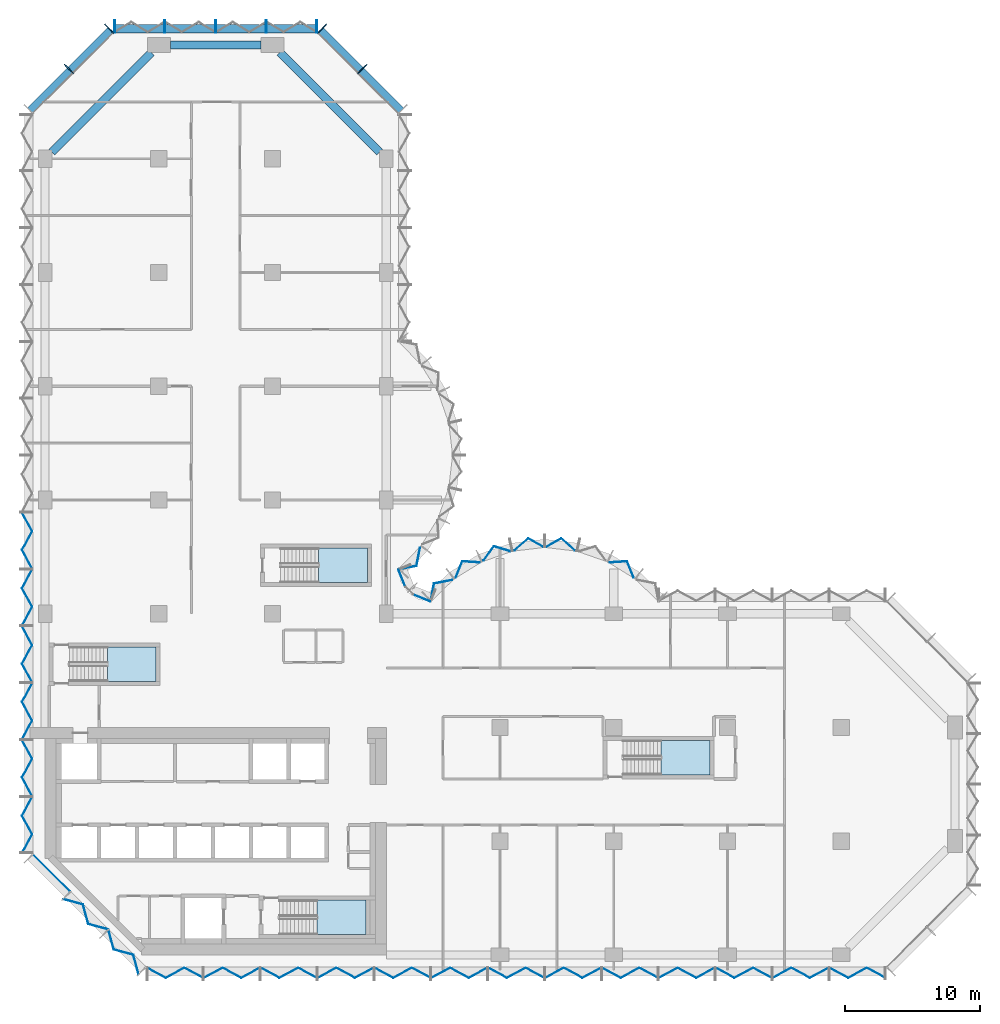
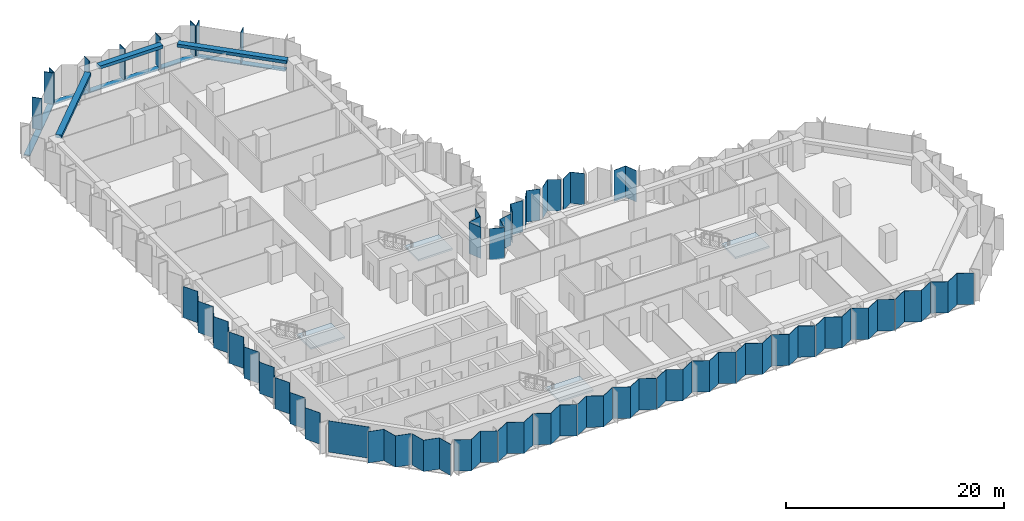
# One storey, part 5 of 13: 31 plates, 12 members, 4 slabs, 3 beams, 13 elements without a shape of their own.
"""IFC4 building model written with IfcOpenShell, lengths in metres."""

from ifc_helpers import new_model, si_unit, direction, frame, origin, origin_2d, place, context, subcontext, project, spatial, polyline, rectangle, outline, extrude, material, layer, layer_set, material_profile, profile_set, type_object, element, aggregate, save


model = new_model("IFC4")

# Units and contexts
model_context = context("Model", 3, precision=1e-05, world=origin(), true_north=direction((0.0, 1.0)))
body_context = subcontext(model_context, "Body", "Model", "MODEL_VIEW")
ifc_project = project(units=[si_unit("LENGTHUNIT", "METRE"), si_unit("AREAUNIT", "SQUARE_METRE"), si_unit("VOLUMEUNIT", "CUBIC_METRE"), si_unit("PLANEANGLEUNIT", "RADIAN"), si_unit("MASSUNIT", "GRAM", prefix="KILO")], contexts=[model_context])

# Site, building, storey
site_placement = place(None, origin())
site = spatial("IfcSite", under=ifc_project, at=site_placement, CompositionType="ELEMENT")
building_placement = place(site_placement, origin())
building = spatial("IfcBuilding", under=site, at=building_placement, Name="Brevane Broadcast Tower", CompositionType="ELEMENT")
storey_placement = place(building_placement, frame((0.0, 0.0, 127.699951171875)))
storey = spatial("IfcBuildingStorey", under=building, at=storey_placement, Name="L31", CompositionType="ELEMENT", Elevation=127.699951171875)

# Curtain wall, members
ifc_material_1 = material(Name="Aluminium 6063-T6 bronze anodised", Category="aluminium")
curtain_wall_type = type_object("IfcCurtainWallType", Name="CW-1 curtain wall", PredefinedType="NOTDEFINED", material=ifc_material_1)
curtain_wall_1_placement = place(storey_placement, origin())
curtain_wall_1 = element("IfcCurtainWall", 1, at=curtain_wall_1_placement, inside=storey, type_object=curtain_wall_type, Name="CW-1 typical tilted unit L31 north arm north-east chamfer", PredefinedType="NOTDEFINED")
ifc_material_profile_1 = material_profile(ifc_material_1, rectangle(XDim=0.949951171875, YDim=0.070068359375, at=origin_2d()), Name="RECT 70x950")
ifc_profile_set_1 = profile_set([ifc_material_profile_1], Name="Aluminium 6063-T6 bronze anodised")
member_type_1 = type_object("IfcMemberType", Name="CW-1 mullion 70x950", PredefinedType="MULLION", material=ifc_profile_set_1)
member_1_placement = place(storey_placement, frame((23.435791015625, 65.435791015625, -0.14990234375), z_axis=(0.0, 0.0, 1.0), x_axis=(-0.707106781187, -0.707106781187, 0.0)))
member_1 = element("IfcMember", 2, at=member_1_placement, type_object=member_type_1, Name="CW-1 mullion", PredefinedType="MULLION", context=body_context, shape_type="SweptSolid", body=[
    extrude(rectangle(XDim=0.949951171875, YDim=0.070068359375, at=origin_2d()), origin(), (0.0, 0.0, 1.0), 3.5),
])
member_2_placement = place(storey_placement, frame((20.460693359375, 68.4111328125, -0.14990234375), z_axis=(0.0, 0.0, 1.0), x_axis=(-0.707106781187, -0.707106781187, 0.0)))
member_2 = element("IfcMember", 3, at=member_2_placement, type_object=member_type_1, Name="CW-1 mullion", PredefinedType="MULLION", context=body_context, shape_type="SweptSolid", body=[
    extrude(rectangle(XDim=0.949951171875, YDim=0.070068359375, at=origin_2d()), origin(), (0.0, 0.0, 1.0), 3.5),
])

curtain_wall_2_placement = place(storey_placement, origin())
curtain_wall_2 = element("IfcCurtainWall", 4, at=curtain_wall_2_placement, inside=storey, type_object=curtain_wall_type, Name="CW-1 typical tilted unit L31 north end", PredefinedType="NOTDEFINED")
member_3_placement = place(storey_placement, frame((20.06494140625, 68.574951171875, -0.14990234375), z_axis=(0.0, 0.0, 1.0), x_axis=(0.0, -1.0, 0.0)))
member_3 = element("IfcMember", 5, at=member_3_placement, type_object=member_type_1, Name="CW-1 mullion", PredefinedType="MULLION", context=body_context, shape_type="SweptSolid", body=[
    extrude(rectangle(XDim=0.949951171875, YDim=0.070068359375, at=origin_2d()), origin(), (0.0, 0.0, 1.0), 3.5),
])
member_4_placement = place(storey_placement, frame((16.35009765625, 68.574951171875, -0.14990234375), z_axis=(0.0, 0.0, 1.0), x_axis=(0.0, -1.0, 0.0)))
member_4 = element("IfcMember", 6, at=member_4_placement, type_object=member_type_1, Name="CW-1 mullion", PredefinedType="MULLION", context=body_context, shape_type="SweptSolid", body=[
    extrude(rectangle(XDim=0.949951171875, YDim=0.070068359375, at=origin_2d()), origin(), (0.0, 0.0, 1.0), 3.5),
])
member_5_placement = place(storey_placement, frame((12.60009765625, 68.574951171875, -0.14990234375), z_axis=(0.0, 0.0, 1.0), x_axis=(0.0, -1.0, 0.0)))
member_5 = element("IfcMember", 7, at=member_5_placement, type_object=member_type_1, Name="CW-1 mullion", PredefinedType="MULLION", context=body_context, shape_type="SweptSolid", body=[
    extrude(rectangle(XDim=0.949951171875, YDim=0.070068359375, at=origin_2d()), origin(), (0.0, 0.0, 1.0), 3.5),
])
member_6_placement = place(storey_placement, frame((8.85009765625, 68.574951171875, -0.14990234375), z_axis=(0.0, 0.0, 1.0), x_axis=(0.0, -1.0, 0.0)))
member_6 = element("IfcMember", 8, at=member_6_placement, type_object=member_type_1, Name="CW-1 mullion", PredefinedType="MULLION", context=body_context, shape_type="SweptSolid", body=[
    extrude(rectangle(XDim=0.949951171875, YDim=0.070068359375, at=origin_2d()), origin(), (0.0, 0.0, 1.0), 3.5),
])
member_7_placement = place(storey_placement, frame((5.135009765625, 68.574951171875, -0.14990234375), z_axis=(0.0, 0.0, 1.0), x_axis=(0.0, -1.0, 0.0)))
member_7 = element("IfcMember", 9, at=member_7_placement, type_object=member_type_1, Name="CW-1 mullion", PredefinedType="MULLION", context=body_context, shape_type="SweptSolid", body=[
    extrude(rectangle(XDim=0.949951171875, YDim=0.070068359375, at=origin_2d()), origin(), (0.0, 0.0, 1.0), 3.5),
])

curtain_wall_3_placement = place(storey_placement, origin())
curtain_wall_3 = element("IfcCurtainWall", 10, at=curtain_wall_3_placement, inside=storey, type_object=curtain_wall_type, Name="CW-1 typical tilted unit L31 north-west chamfer", PredefinedType="NOTDEFINED")
member_8_placement = place(storey_placement, frame((4.7392578125, 68.4111328125, -0.14990234375), z_axis=(0.0, 0.0, 1.0), x_axis=(0.707106781187, -0.707106781187, 0.0)))
member_8 = element("IfcMember", 11, at=member_8_placement, type_object=member_type_1, Name="CW-1 mullion", PredefinedType="MULLION", context=body_context, shape_type="SweptSolid", body=[
    extrude(rectangle(XDim=0.949951171875, YDim=0.070068359375, at=origin_2d()), origin(), (0.0, 0.0, 1.0), 3.5),
])
member_9_placement = place(storey_placement, frame((1.76416015625, 65.435791015625, -0.14990234375), z_axis=(0.0, 0.0, 1.0), x_axis=(0.707106781187, -0.707106781187, 0.0)))
member_9 = element("IfcMember", 12, at=member_9_placement, type_object=member_type_1, Name="CW-1 mullion", PredefinedType="MULLION", context=body_context, shape_type="SweptSolid", body=[
    extrude(rectangle(XDim=0.949951171875, YDim=0.070068359375, at=origin_2d()), origin(), (0.0, 0.0, 1.0), 3.5),
])

# Member
ifc_material_profile_2 = material_profile(ifc_material_1, rectangle(XDim=0.60009765625, YDim=0.10009765625, at=origin_2d()), Name="RECT 100x600")
ifc_profile_set_2 = profile_set([ifc_material_profile_2], Name="Aluminium 6063-T6 bronze anodised")
member_type_2 = type_object("IfcMemberType", Name="CW-1 transom 100x600", PredefinedType="USERDEFINED", material=ifc_profile_set_2)
member_10_placement = place(storey_placement, frame((26.31201171875, 62.31201171875, -0.199951171875), z_axis=(-0.707106781187, 0.707106781187, 0.0), x_axis=(-0.707106781187, -0.707106781187, 0.0)))
member_10 = element("IfcMember", 13, at=member_10_placement, type_object=member_type_2, Name="CW-1 transom", ObjectType="TRANSOM", PredefinedType="USERDEFINED", context=body_context, shape_type="SweptSolid", body=[
    extrude(rectangle(XDim=0.60009765625, YDim=0.10009765625, at=origin_2d()), origin(), (0.0, 0.0, 1.0), 8.4853515625),
])

aggregate(curtain_wall_1, [member_1, member_2, member_10])

member_11_placement = place(storey_placement, frame((20.10009765625, 68.39990234375, -0.199951171875), z_axis=(-1.0, 0.0, 0.0), x_axis=(0.0, -1.0, 0.0)))
member_11 = element("IfcMember", 14, at=member_11_placement, type_object=member_type_2, Name="CW-1 transom", ObjectType="TRANSOM", PredefinedType="USERDEFINED", context=body_context, shape_type="SweptSolid", body=[
    extrude(rectangle(XDim=0.60009765625, YDim=0.10009765625, at=origin_2d()), origin(), (0.0, 0.0, 1.0), 15.0),
])

aggregate(curtain_wall_2, [member_3, member_4, member_5, member_6, member_7, member_11])

member_12_placement = place(storey_placement, frame((4.887939453125, 68.31201171875, -0.199951171875), z_axis=(-0.707106781187, -0.707106781187, 0.0), x_axis=(0.707106781187, -0.707106781187, 0.0)))
member_12 = element("IfcMember", 15, at=member_12_placement, type_object=member_type_2, Name="CW-1 transom", ObjectType="TRANSOM", PredefinedType="USERDEFINED", context=body_context, shape_type="SweptSolid", body=[
    extrude(rectangle(XDim=0.60009765625, YDim=0.10009765625, at=origin_2d()), origin(), (0.0, 0.0, 1.0), 8.4853515625),
])

aggregate(curtain_wall_3, [member_8, member_9, member_12])

# Beams
ifc_material_2 = material(Name="Concrete C40/50", Category="concrete")
ifc_material_profile_3 = material_profile(ifc_material_2, rectangle(XDim=0.60009765625, YDim=0.35009765625, at=origin_2d()), Name="RC 600x350")
ifc_profile_set_3 = profile_set([ifc_material_profile_3], Name="Concrete C40/50")
beam_type = type_object("IfcBeamType", Name="RC SPANDREL BEAM 600x350 C40/50", PredefinedType="SPANDREL", material=ifc_profile_set_3)
beam_1_placement = place(storey_placement, frame((24.699951171875, 59.300048828125, 3.175048828125), z_axis=(-0.707106781187, 0.707106781187, 0.0), x_axis=(-0.707106781187, -0.707106781187, 0.0)))
element("IfcBeam", 16, at=beam_1_placement, inside=storey, type_object=beam_type, Name="EB1 L31-16", PredefinedType="SPANDREL", context=body_context, shape_type="SweptSolid", body=[
    extrude(rectangle(XDim=0.60009765625, YDim=0.35009765625, at=origin_2d()), origin(), (0.0, 0.0, 1.0), 10.394287109375),
])
beam_2_placement = place(storey_placement, frame((15.949951171875, 67.199951171875, 3.175048828125), z_axis=(-1.0, 0.0, 0.0), x_axis=(0.0, -1.0, 0.0)))
element("IfcBeam", 17, at=beam_2_placement, inside=storey, type_object=beam_type, Name="EB1 L31-17", PredefinedType="SPANDREL", context=body_context, shape_type="SweptSolid", body=[
    extrude(rectangle(XDim=0.60009765625, YDim=0.35009765625, at=origin_2d()), origin(), (0.0, 0.0, 1.0), 6.699951171875),
])
beam_3_placement = place(storey_placement, frame((7.85009765625, 66.64990234375, 3.175048828125), z_axis=(-0.707118524903, -0.707095037275, 0.0), x_axis=(0.707095037275, -0.707118524903, 0.0)))
element("IfcBeam", 18, at=beam_3_placement, inside=storey, type_object=beam_type, Name="EB1 L31-18", PredefinedType="SPANDREL", context=body_context, shape_type="SweptSolid", body=[
    extrude(rectangle(XDim=0.60009765625, YDim=0.35009765625, at=origin_2d()), origin(), (0.0, 0.0, 1.0), 10.39453125),
])

# Curtain wall, plates
curtain_wall_4_placement = place(storey_placement, origin())
curtain_wall_4 = element("IfcCurtainWall", 19, at=curtain_wall_4_placement, inside=storey, type_object=curtain_wall_type, Name="CW-1 typical tilted unit L31 south face", PredefinedType="NOTDEFINED")
ifc_material_3 = material(Name="Laminated glass bronze-tinted", Category="glass")
ifc_layer_1 = layer(ifc_material_3, 0.0400390625)
ifc_layer_set_1 = layer_set([ifc_layer_1], Name="CW tall glass panel 40")
plate_type = type_object("IfcPlateType", Name="CW tall glass panel 40", PredefinedType="CURTAIN_PANEL", material=ifc_layer_set_1)
plate_1_placement = place(storey_placement, frame((0.0, 0.0, -0.14990234375)))
plate_1 = element("IfcPlate", 20, at=plate_1_placement, type_object=plate_type, Name="CW-1 glass panel", PredefinedType="CURTAIN_PANEL", context=body_context, shape_type="SweptSolid", body=[
    extrude(outline(polyline([(7.534912109375, -0.92724609375), (7.534912109375, -0.97265625), (8.91162109375, -1.717041015625), (10.288330078125, -0.97265625), (11.6650390625, -1.717041015625), (11.6650390625, -1.671630859375), (10.288330078125, -0.92724609375), (8.91162109375, -1.671630859375), (7.534912109375, -0.92724609375)])), origin(), (0.0, 0.0, 1.0), 3.5),
])
plate_2_placement = place(storey_placement, frame((0.0, 0.0, -0.14990234375)))
plate_2 = element("IfcPlate", 21, at=plate_2_placement, type_object=plate_type, Name="CW-1 glass panel", PredefinedType="CURTAIN_PANEL", context=body_context, shape_type="SweptSolid", body=[
    extrude(outline(polyline([(11.735107421875, -1.671630859375), (11.735107421875, -1.717041015625), (13.11181640625, -0.97265625), (14.48828125, -1.717041015625), (15.864990234375, -0.97265625), (15.864990234375, -0.92724609375), (14.48828125, -1.671630859375), (13.11181640625, -0.92724609375), (11.735107421875, -1.671630859375)])), origin(), (0.0, 0.0, 1.0), 3.5),
])
plate_3_placement = place(storey_placement, frame((0.0, 0.0, -0.14990234375)))
plate_3 = element("IfcPlate", 22, at=plate_3_placement, type_object=plate_type, Name="CW-1 glass panel", PredefinedType="CURTAIN_PANEL", context=body_context, shape_type="SweptSolid", body=[
    extrude(outline(polyline([(15.93505859375, -0.92724609375), (15.93505859375, -0.97265625), (17.311767578125, -1.717041015625), (18.688232421875, -0.97265625), (20.06494140625, -1.717041015625), (20.06494140625, -1.671630859375), (18.688232421875, -0.92724609375), (17.311767578125, -1.671630859375), (15.93505859375, -0.92724609375)])), origin(), (0.0, 0.0, 1.0), 3.5),
])
plate_4_placement = place(storey_placement, frame((0.0, 0.0, -0.14990234375)))
plate_4 = element("IfcPlate", 23, at=plate_4_placement, type_object=plate_type, Name="CW-1 glass panel", PredefinedType="CURTAIN_PANEL", context=body_context, shape_type="SweptSolid", body=[
    extrude(outline(polyline([(20.135009765625, -1.671630859375), (20.135009765625, -1.717041015625), (21.51171875, -0.97265625), (22.88818359375, -1.717041015625), (24.264892578125, -0.97265625), (24.264892578125, -0.92724609375), (22.88818359375, -1.671630859375), (21.51171875, -0.92724609375), (20.135009765625, -1.671630859375)])), origin(), (0.0, 0.0, 1.0), 3.5),
])
plate_5_placement = place(storey_placement, frame((0.0, 0.0, -0.14990234375)))
plate_5 = element("IfcPlate", 24, at=plate_5_placement, type_object=plate_type, Name="CW-1 glass panel", PredefinedType="CURTAIN_PANEL", context=body_context, shape_type="SweptSolid", body=[
    extrude(outline(polyline([(24.3349609375, -0.92724609375), (24.3349609375, -0.97265625), (25.711669921875, -1.717041015625), (27.08837890625, -0.97265625), (28.465087890625, -1.717041015625), (28.465087890625, -1.671630859375), (27.08837890625, -0.92724609375), (25.711669921875, -1.671630859375), (24.3349609375, -0.92724609375)])), origin(), (0.0, 0.0, 1.0), 3.5),
])
plate_6_placement = place(storey_placement, frame((0.0, 0.0, -0.14990234375)))
plate_6 = element("IfcPlate", 25, at=plate_6_placement, type_object=plate_type, Name="CW-1 glass panel", PredefinedType="CURTAIN_PANEL", context=body_context, shape_type="SweptSolid", body=[
    extrude(outline(polyline([(28.534912109375, -1.671630859375), (28.534912109375, -1.717041015625), (29.91162109375, -0.97265625), (31.288330078125, -1.717041015625), (32.6650390625, -0.97265625), (32.6650390625, -0.92724609375), (31.288330078125, -1.671630859375), (29.91162109375, -0.92724609375), (28.534912109375, -1.671630859375)])), origin(), (0.0, 0.0, 1.0), 3.5),
])
plate_7_placement = place(storey_placement, frame((0.0, 0.0, -0.14990234375)))
plate_7 = element("IfcPlate", 26, at=plate_7_placement, type_object=plate_type, Name="CW-1 glass panel", PredefinedType="CURTAIN_PANEL", context=body_context, shape_type="SweptSolid", body=[
    extrude(outline(polyline([(32.735107421875, -0.92724609375), (32.735107421875, -0.97265625), (34.11181640625, -1.717041015625), (35.48828125, -0.97265625), (36.864990234375, -1.717041015625), (36.864990234375, -1.671630859375), (35.48828125, -0.92724609375), (34.11181640625, -1.671630859375), (32.735107421875, -0.92724609375)])), origin(), (0.0, 0.0, 1.0), 3.5),
])
plate_8_placement = place(storey_placement, frame((0.0, 0.0, -0.14990234375)))
plate_8 = element("IfcPlate", 27, at=plate_8_placement, type_object=plate_type, Name="CW-1 glass panel", PredefinedType="CURTAIN_PANEL", context=body_context, shape_type="SweptSolid", body=[
    extrude(outline(polyline([(36.93505859375, -1.671630859375), (36.93505859375, -1.717041015625), (38.311767578125, -0.97265625), (39.688232421875, -1.717041015625), (41.06494140625, -0.97265625), (41.06494140625, -0.92724609375), (39.688232421875, -1.671630859375), (38.311767578125, -0.92724609375), (36.93505859375, -1.671630859375)])), origin(), (0.0, 0.0, 1.0), 3.5),
])
plate_9_placement = place(storey_placement, frame((0.0, 0.0, -0.14990234375)))
plate_9 = element("IfcPlate", 28, at=plate_9_placement, type_object=plate_type, Name="CW-1 glass panel", PredefinedType="CURTAIN_PANEL", context=body_context, shape_type="SweptSolid", body=[
    extrude(outline(polyline([(41.135009765625, -0.92724609375), (41.135009765625, -0.97265625), (42.51171875, -1.717041015625), (43.88818359375, -0.97265625), (45.264892578125, -1.717041015625), (45.264892578125, -1.671630859375), (43.88818359375, -0.92724609375), (42.51171875, -1.671630859375), (41.135009765625, -0.92724609375)])), origin(), (0.0, 0.0, 1.0), 3.5),
])
plate_10_placement = place(storey_placement, frame((0.0, 0.0, -0.14990234375)))
plate_10 = element("IfcPlate", 29, at=plate_10_placement, type_object=plate_type, Name="CW-1 glass panel", PredefinedType="CURTAIN_PANEL", context=body_context, shape_type="SweptSolid", body=[
    extrude(outline(polyline([(45.3349609375, -1.671630859375), (45.3349609375, -1.717041015625), (46.711669921875, -0.97265625), (48.08837890625, -1.717041015625), (49.465087890625, -0.97265625), (49.465087890625, -0.92724609375), (48.08837890625, -1.671630859375), (46.711669921875, -0.92724609375), (45.3349609375, -1.671630859375)])), origin(), (0.0, 0.0, 1.0), 3.5),
])
plate_11_placement = place(storey_placement, frame((0.0, 0.0, -0.14990234375)))
plate_11 = element("IfcPlate", 30, at=plate_11_placement, type_object=plate_type, Name="CW-1 glass panel", PredefinedType="CURTAIN_PANEL", context=body_context, shape_type="SweptSolid", body=[
    extrude(outline(polyline([(49.534912109375, -0.92724609375), (49.534912109375, -0.97265625), (50.91162109375, -1.717041015625), (52.288330078125, -0.97265625), (53.6650390625, -1.717041015625), (53.6650390625, -1.671630859375), (52.288330078125, -0.92724609375), (50.91162109375, -1.671630859375), (49.534912109375, -0.92724609375)])), origin(), (0.0, 0.0, 1.0), 3.5),
])
plate_12_placement = place(storey_placement, frame((0.0, 0.0, -0.14990234375)))
plate_12 = element("IfcPlate", 31, at=plate_12_placement, type_object=plate_type, Name="CW-1 glass panel", PredefinedType="CURTAIN_PANEL", context=body_context, shape_type="SweptSolid", body=[
    extrude(outline(polyline([(53.735107421875, -1.671630859375), (53.735107421875, -1.717041015625), (55.11181640625, -0.97265625), (56.48828125, -1.717041015625), (57.864990234375, -0.97265625), (57.864990234375, -0.92724609375), (56.48828125, -1.671630859375), (55.11181640625, -0.92724609375), (53.735107421875, -1.671630859375)])), origin(), (0.0, 0.0, 1.0), 3.5),
])
plate_13_placement = place(storey_placement, frame((0.0, 0.0, -0.14990234375)))
plate_13 = element("IfcPlate", 32, at=plate_13_placement, type_object=plate_type, Name="CW-1 glass panel", PredefinedType="CURTAIN_PANEL", context=body_context, shape_type="SweptSolid", body=[
    extrude(outline(polyline([(57.93505859375, -0.92724609375), (57.93505859375, -0.97265625), (59.311767578125, -1.717041015625), (60.688232421875, -0.97265625), (62.06494140625, -1.717041015625), (62.06494140625, -1.671630859375), (60.688232421875, -0.92724609375), (59.311767578125, -1.671630859375), (57.93505859375, -0.92724609375)])), origin(), (0.0, 0.0, 1.0), 3.5),
])
aggregate(curtain_wall_4, [plate_1, plate_2, plate_3, plate_4, plate_5, plate_6, plate_7, plate_8, plate_9, plate_10, plate_11, plate_12, plate_13])

curtain_wall_5_placement = place(storey_placement, origin())
curtain_wall_5 = element("IfcCurtainWall", 33, at=curtain_wall_5_placement, inside=storey, type_object=curtain_wall_type, Name="CW-1 typical tilted unit L31 east bow", PredefinedType="NOTDEFINED")
plate_14_placement = place(storey_placement, frame((0.0, 0.0, -0.14990234375)))
plate_14 = element("IfcPlate", 34, at=plate_14_placement, type_object=plate_type, Name="CW-1 glass panel", PredefinedType="CURTAIN_PANEL", context=body_context, shape_type="SweptSolid", body=[
    extrude(outline(polyline([(43.45703125, 27.8759765625), (43.4853515625, 27.912109375), (43.00390625, 29.089111328125), (41.710693359375, 29.006591796875), (41.69091796875, 28.96533203125), (42.977783203125, 29.04736328125), (43.45703125, 27.8759765625)])), origin(), (0.0, 0.0, 1.0), 3.5),
])
plate_15_placement = place(storey_placement, frame((0.0, 0.0, -0.14990234375)))
plate_15 = element("IfcPlate", 35, at=plate_15_placement, type_object=plate_type, Name="CW-1 glass panel", PredefinedType="CURTAIN_PANEL", context=body_context, shape_type="SweptSolid", body=[
    extrude(outline(polyline([(39.125, 29.859619140625), (39.13525390625, 29.903564453125), (38.116943359375, 30.779296875), (37.008056640625, 30.15869140625), (37.008056640625, 30.11279296875), (38.112060546875, 30.730712890625), (39.125, 29.859619140625)])), origin(), (0.0, 0.0, 1.0), 3.5),
])
plate_16_placement = place(storey_placement, frame((0.0, 0.0, -0.14990234375)))
plate_16 = element("IfcPlate", 36, at=plate_16_placement, type_object=plate_type, Name="CW-1 glass panel", PredefinedType="CURTAIN_PANEL", context=body_context, shape_type="SweptSolid", body=[
    extrude(outline(polyline([(36.7919921875, 30.11279296875), (36.7919921875, 30.15869140625), (35.68310546875, 30.779296875), (34.664794921875, 29.903564453125), (34.6748046875, 29.859619140625), (35.68798828125, 30.730712890625), (36.7919921875, 30.11279296875)])), origin(), (0.0, 0.0, 1.0), 3.5),
])
plate_17_placement = place(storey_placement, frame((0.0, 0.0, -0.14990234375)))
plate_17 = element("IfcPlate", 37, at=plate_17_placement, type_object=plate_type, Name="CW-1 glass panel", PredefinedType="CURTAIN_PANEL", context=body_context, shape_type="SweptSolid", body=[
    extrude(outline(polyline([(34.359619140625, 29.78857421875), (34.349365234375, 29.83349609375), (33.132080078125, 30.20166015625), (32.381103515625, 29.1455078125), (32.400634765625, 29.104248046875), (33.148193359375, 30.155029296875), (34.359619140625, 29.78857421875)])), origin(), (0.0, 0.0, 1.0), 3.5),
])
plate_18_placement = place(storey_placement, frame((0.0, 0.0, -0.14990234375)))
plate_18 = element("IfcPlate", 38, at=plate_18_placement, type_object=plate_type, Name="CW-1 glass panel", PredefinedType="CURTAIN_PANEL", context=body_context, shape_type="SweptSolid", body=[
    extrude(outline(polyline([(32.10888671875, 28.96533203125), (32.08935546875, 29.006591796875), (30.7958984375, 29.089111328125), (30.314697265625, 27.912109375), (30.343017578125, 27.8759765625), (30.822265625, 29.04736328125), (32.10888671875, 28.96533203125)])), origin(), (0.0, 0.0, 1.0), 3.5),
])
plate_19_placement = place(storey_placement, frame((0.0, 0.0, -0.14990234375)))
plate_19 = element("IfcPlate", 39, at=plate_19_placement, type_object=plate_type, Name="CW-1 glass panel", PredefinedType="CURTAIN_PANEL", context=body_context, shape_type="SweptSolid", body=[
    extrude(outline(polyline([(30.089111328125, 27.67626953125), (30.0615234375, 27.71142578125), (28.7138671875, 27.447265625), (28.471923828125, 26.17919921875), (28.506103515625, 26.14404296875), (28.748046875, 27.4130859375), (30.089111328125, 27.67626953125)])), origin(), (0.0, 0.0, 1.0), 3.5),
])
aggregate(curtain_wall_5, [plate_14, plate_15, plate_16, plate_17, plate_18, plate_19])

curtain_wall_6_placement = place(storey_placement, origin())
curtain_wall_6 = element("IfcCurtainWall", 40, at=curtain_wall_6_placement, inside=storey, type_object=curtain_wall_type, Name="CW-1 typical tilted unit L31 inner corner", PredefinedType="NOTDEFINED")
plate_20_placement = place(storey_placement, frame((0.0, 0.0, -0.14990234375)))
plate_20 = element("IfcPlate", 41, at=plate_20_placement, type_object=plate_type, Name="CW-1 glass panel", PredefinedType="CURTAIN_PANEL", context=body_context, shape_type="SweptSolid", body=[
    extrude(outline(polyline([(28.45166015625, 26.07470703125), (28.466796875, 26.111572265625), (27.2021484375, 26.635498046875), (27.17138671875, 26.60498046875), (28.45166015625, 26.07470703125)])), origin(), (0.0, 0.0, 1.0), 3.5),
])
plate_21_placement = place(storey_placement, frame((0.0, 0.0, -0.14990234375)))
plate_21 = element("IfcPlate", 42, at=plate_21_placement, type_object=plate_type, Name="CW-1 glass panel", PredefinedType="CURTAIN_PANEL", context=body_context, shape_type="SweptSolid", body=[
    extrude(outline(polyline([(26.60498046875, 27.17138671875), (26.635498046875, 27.2021484375), (26.111572265625, 28.466796875), (26.07470703125, 28.45166015625), (26.60498046875, 27.17138671875)])), origin(), (0.0, 0.0, 1.0), 3.5),
])
aggregate(curtain_wall_6, [plate_20, plate_21])

# Curtain wall, plate
curtain_wall_7_placement = place(storey_placement, origin())
curtain_wall_7 = element("IfcCurtainWall", 43, at=curtain_wall_7_placement, inside=storey, type_object=curtain_wall_type, Name="CW-1 typical tilted unit L31 north bow", PredefinedType="NOTDEFINED")
plate_22_placement = place(storey_placement, frame((0.0, 0.0, -0.14990234375)))
plate_22 = element("IfcPlate", 44, at=plate_22_placement, type_object=plate_type, Name="CW-1 glass panel", PredefinedType="CURTAIN_PANEL", context=body_context, shape_type="SweptSolid", body=[
    extrude(outline(polyline([(26.14404296875, 28.506103515625), (26.17919921875, 28.471923828125), (27.447265625, 28.7138671875), (27.71142578125, 30.0615234375), (27.67626953125, 30.089111328125), (27.4130859375, 28.748046875), (26.14404296875, 28.506103515625)])), origin(), (0.0, 0.0, 1.0), 3.5),
])
aggregate(curtain_wall_7, [plate_22])

# Curtain wall, plates
curtain_wall_8_placement = place(storey_placement, origin())
curtain_wall_8 = element("IfcCurtainWall", 45, at=curtain_wall_8_placement, inside=storey, type_object=curtain_wall_type, Name="CW-1 typical tilted unit L31 west face", PredefinedType="NOTDEFINED")
plate_23_placement = place(storey_placement, frame((0.0, 0.0, -0.14990234375)))
plate_23 = element("IfcPlate", 46, at=plate_23_placement, type_object=plate_type, Name="CW-1 glass panel", PredefinedType="CURTAIN_PANEL", context=body_context, shape_type="SweptSolid", body=[
    extrude(outline(polyline([(-1.671630859375, 32.6650390625), (-1.717041015625, 32.6650390625), (-0.97265625, 31.288330078125), (-1.717041015625, 29.91162109375), (-0.97265625, 28.534912109375), (-0.92724609375, 28.534912109375), (-1.671630859375, 29.91162109375), (-0.92724609375, 31.288330078125), (-1.671630859375, 32.6650390625)])), origin(), (0.0, 0.0, 1.0), 3.5),
])
plate_24_placement = place(storey_placement, frame((0.0, 0.0, -0.14990234375)))
plate_24 = element("IfcPlate", 47, at=plate_24_placement, type_object=plate_type, Name="CW-1 glass panel", PredefinedType="CURTAIN_PANEL", context=body_context, shape_type="SweptSolid", body=[
    extrude(outline(polyline([(-0.92724609375, 28.465087890625), (-0.97265625, 28.465087890625), (-1.717041015625, 27.08837890625), (-0.97265625, 25.711669921875), (-1.717041015625, 24.3349609375), (-1.671630859375, 24.3349609375), (-0.92724609375, 25.711669921875), (-1.671630859375, 27.08837890625), (-0.92724609375, 28.465087890625)])), origin(), (0.0, 0.0, 1.0), 3.5),
])
plate_25_placement = place(storey_placement, frame((0.0, 0.0, -0.14990234375)))
plate_25 = element("IfcPlate", 48, at=plate_25_placement, type_object=plate_type, Name="CW-1 glass panel", PredefinedType="CURTAIN_PANEL", context=body_context, shape_type="SweptSolid", body=[
    extrude(outline(polyline([(-1.671630859375, 24.264892578125), (-1.717041015625, 24.264892578125), (-0.97265625, 22.88818359375), (-1.717041015625, 21.51171875), (-0.97265625, 20.135009765625), (-0.92724609375, 20.135009765625), (-1.671630859375, 21.51171875), (-0.92724609375, 22.88818359375), (-1.671630859375, 24.264892578125)])), origin(), (0.0, 0.0, 1.0), 3.5),
])
plate_26_placement = place(storey_placement, frame((0.0, 0.0, -0.14990234375)))
plate_26 = element("IfcPlate", 49, at=plate_26_placement, type_object=plate_type, Name="CW-1 glass panel", PredefinedType="CURTAIN_PANEL", context=body_context, shape_type="SweptSolid", body=[
    extrude(outline(polyline([(-0.92724609375, 20.06494140625), (-0.97265625, 20.06494140625), (-1.717041015625, 18.688232421875), (-0.97265625, 17.311767578125), (-1.717041015625, 15.93505859375), (-1.671630859375, 15.93505859375), (-0.92724609375, 17.311767578125), (-1.671630859375, 18.688232421875), (-0.92724609375, 20.06494140625)])), origin(), (0.0, 0.0, 1.0), 3.5),
])
plate_27_placement = place(storey_placement, frame((0.0, 0.0, -0.14990234375)))
plate_27 = element("IfcPlate", 50, at=plate_27_placement, type_object=plate_type, Name="CW-1 glass panel", PredefinedType="CURTAIN_PANEL", context=body_context, shape_type="SweptSolid", body=[
    extrude(outline(polyline([(-1.671630859375, 15.864990234375), (-1.717041015625, 15.864990234375), (-0.97265625, 14.48828125), (-1.717041015625, 13.11181640625), (-0.97265625, 11.735107421875), (-0.92724609375, 11.735107421875), (-1.671630859375, 13.11181640625), (-0.92724609375, 14.48828125), (-1.671630859375, 15.864990234375)])), origin(), (0.0, 0.0, 1.0), 3.5),
])
plate_28_placement = place(storey_placement, frame((0.0, 0.0, -0.14990234375)))
plate_28 = element("IfcPlate", 51, at=plate_28_placement, type_object=plate_type, Name="CW-1 glass panel", PredefinedType="CURTAIN_PANEL", context=body_context, shape_type="SweptSolid", body=[
    extrude(outline(polyline([(-0.92724609375, 11.6650390625), (-0.97265625, 11.6650390625), (-1.717041015625, 10.288330078125), (-0.97265625, 8.91162109375), (-1.717041015625, 7.534912109375), (-1.671630859375, 7.534912109375), (-0.92724609375, 8.91162109375), (-1.671630859375, 10.288330078125), (-0.92724609375, 11.6650390625)])), origin(), (0.0, 0.0, 1.0), 3.5),
])
aggregate(curtain_wall_8, [plate_23, plate_24, plate_25, plate_26, plate_27, plate_28])

curtain_wall_9_placement = place(storey_placement, origin())
curtain_wall_9 = element("IfcCurtainWall", 52, at=curtain_wall_9_placement, inside=storey, type_object=curtain_wall_type, Name="CW-1 typical tilted unit L31 south-west chamfer", PredefinedType="NOTDEFINED")
plate_29_placement = place(storey_placement, frame((0.0, 0.0, -0.14990234375)))
plate_29 = element("IfcPlate", 53, at=plate_29_placement, type_object=plate_type, Name="CW-1 glass panel", PredefinedType="CURTAIN_PANEL", context=body_context, shape_type="SweptSolid", body=[
    extrude(outline(polyline([(-0.896484375, 7.4541015625), (1.85400390625, 4.70361328125), (1.82568359375, 4.67529296875), (-0.9248046875, 7.42578125), (-0.896484375, 7.4541015625)])), origin(), (0.0, 0.0, 1.0), 3.5),
])
plate_30_placement = place(storey_placement, frame((0.0, 0.0, -0.14990234375)))
plate_30 = element("IfcPlate", 54, at=plate_30_placement, type_object=plate_type, Name="CW-1 glass panel", PredefinedType="CURTAIN_PANEL", context=body_context, shape_type="SweptSolid", body=[
    extrude(outline(polyline([(1.37939453125, 4.1298828125), (1.3466796875, 4.09716796875), (2.789794921875, 3.706787109375), (3.180419921875, 2.263671875), (4.62353515625, 1.873046875), (4.65625, 1.90576171875), (3.212890625, 2.296142578125), (2.822509765625, 3.739501953125), (1.37939453125, 4.1298828125)])), origin(), (0.0, 0.0, 1.0), 3.5),
])
plate_31_placement = place(storey_placement, frame((0.0, 0.0, -0.14990234375)))
plate_31 = element("IfcPlate", 55, at=plate_31_placement, type_object=plate_type, Name="CW-1 glass panel", PredefinedType="CURTAIN_PANEL", context=body_context, shape_type="SweptSolid", body=[
    extrude(outline(polyline([(4.705810546875, 1.856201171875), (4.673095703125, 1.823486328125), (5.063720703125, 0.38037109375), (6.5068359375, -0.010009765625), (6.897216796875, -1.453369140625), (6.9296875, -1.420654296875), (6.539306640625, 0.0224609375), (5.09619140625, 0.4130859375), (4.705810546875, 1.856201171875)])), origin(), (0.0, 0.0, 1.0), 3.5),
])
aggregate(curtain_wall_9, [plate_29, plate_30, plate_31])

# Stair, slab
ifc_material_4 = material(Name="Concrete C50/60", Category="concrete")
stair_type = type_object("IfcStairType", Name="Exit stair 22 risers", PredefinedType="HALF_TURN_STAIR", material=ifc_material_4)
stair_1_placement = place(storey_placement, origin())
stair_1 = element("IfcStair", 56, at=stair_1_placement, inside=storey, type_object=stair_type, Name="L31 Exit stair ST-1", PredefinedType="HALF_TURN_STAIR")
ifc_layer_2 = layer(ifc_material_4, 0.199951171875)
ifc_layer_set_2 = layer_set([ifc_layer_2], Name="Exit stair landing")
slab_type = type_object("IfcSlabType", Name="Exit stair landing", PredefinedType="LANDING", material=ifc_layer_set_2)
slab_1_placement = place(storey_placement, frame((0.0, 0.0, 1.60009765625)))
slab_1 = element("IfcSlab", 57, at=slab_1_placement, type_object=slab_type, Name="ST-1 landing 1", PredefinedType="LANDING", context=body_context, shape_type="SweptSolid", body=[
    extrude(outline(polyline([(4.60009765625, 20.199951171875), (8.199951171875, 20.199951171875), (8.199951171875, 22.75), (4.60009765625, 22.75), (4.60009765625, 20.199951171875)])), origin(), (0.0, 0.0, 1.0), 0.199951171875),
])
aggregate(stair_1, [slab_1])

stair_2_placement = place(storey_placement, origin())
stair_2 = element("IfcStair", 58, at=stair_2_placement, inside=storey, type_object=stair_type, Name="L31 Exit stair ST-2", PredefinedType="HALF_TURN_STAIR")
slab_2_placement = place(storey_placement, frame((0.0, 0.0, 1.60009765625)))
slab_2 = element("IfcSlab", 59, at=slab_2_placement, type_object=slab_type, Name="ST-2 landing 1", PredefinedType="LANDING", context=body_context, shape_type="SweptSolid", body=[
    extrude(outline(polyline([(20.10009765625, 1.5), (23.699951171875, 1.5), (23.699951171875, 4.050048828125), (20.10009765625, 4.050048828125), (20.10009765625, 1.5)])), origin(), (0.0, 0.0, 1.0), 0.199951171875),
])
aggregate(stair_2, [slab_2])

stair_3_placement = place(storey_placement, origin())
stair_3 = element("IfcStair", 60, at=stair_3_placement, inside=storey, type_object=stair_type, Name="L31 Exit stair ST-3", PredefinedType="HALF_TURN_STAIR")
slab_3_placement = place(storey_placement, frame((0.0, 0.0, 1.60009765625)))
slab_3 = element("IfcSlab", 61, at=slab_3_placement, type_object=slab_type, Name="ST-3 landing 1", PredefinedType="LANDING", context=body_context, shape_type="SweptSolid", body=[
    extrude(outline(polyline([(20.199951171875, 27.5), (23.800048828125, 27.5), (23.800048828125, 30.050048828125), (20.199951171875, 30.050048828125), (20.199951171875, 27.5)])), origin(), (0.0, 0.0, 1.0), 0.199951171875),
])
aggregate(stair_3, [slab_3])

stair_4_placement = place(storey_placement, origin())
stair_4 = element("IfcStair", 62, at=stair_4_placement, inside=storey, type_object=stair_type, Name="L31 Exit stair ST-4", PredefinedType="HALF_TURN_STAIR")
slab_4_placement = place(storey_placement, frame((0.0, 0.0, 1.60009765625)))
slab_4 = element("IfcSlab", 63, at=slab_4_placement, type_object=slab_type, Name="ST-4 landing 1", PredefinedType="LANDING", context=body_context, shape_type="SweptSolid", body=[
    extrude(outline(polyline([(45.5, 13.300048828125), (49.10009765625, 13.300048828125), (49.10009765625, 15.85009765625), (45.5, 15.85009765625), (45.5, 13.300048828125)])), origin(), (0.0, 0.0, 1.0), 0.199951171875),
])
aggregate(stair_4, [slab_4])

save(model, "model.ifc")
